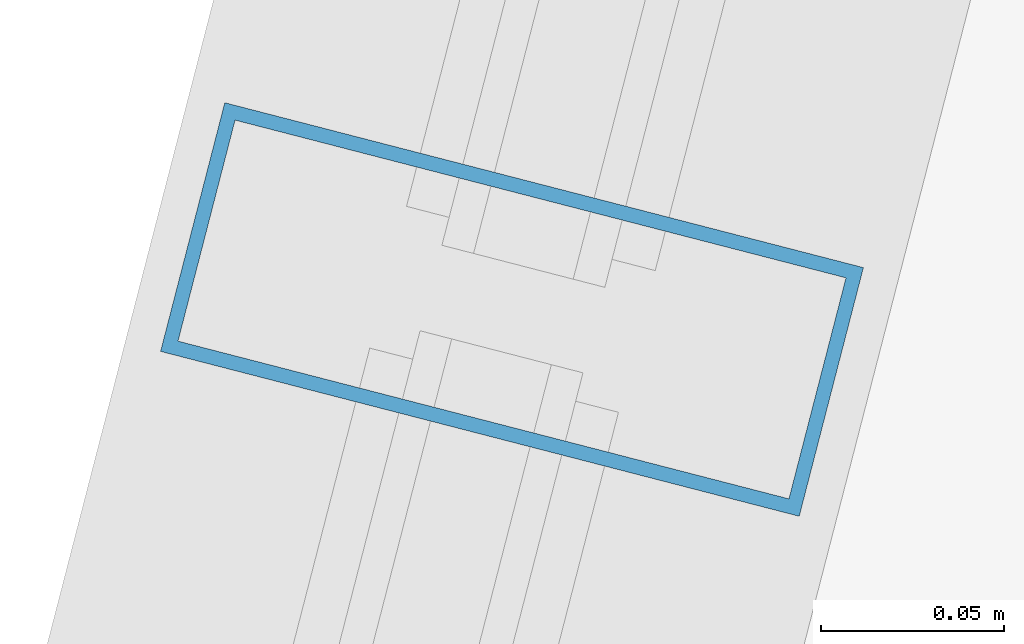
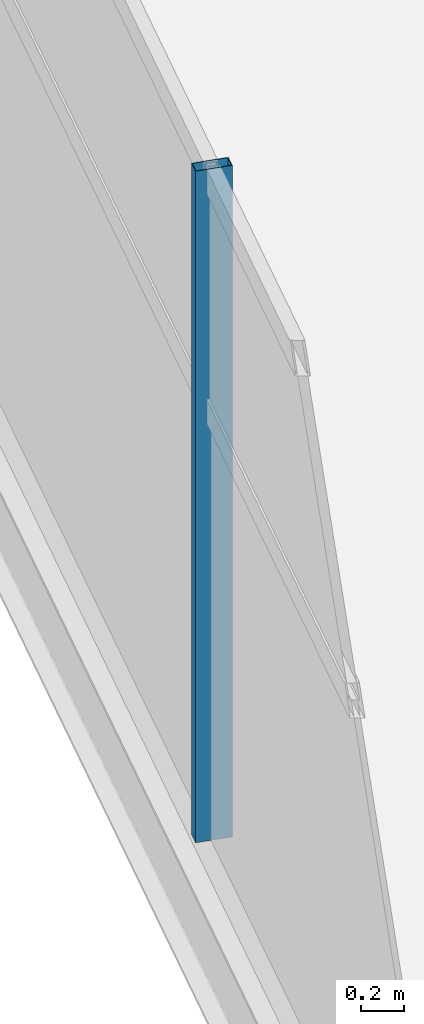
# One storey, part 35 of 156: 1 member, 1 element without a shape of its own.
"""IFC4 building model written with IfcOpenShell, lengths in metres."""

import ifcopenshell
import ifcopenshell.guid

model = None  # the IFC model being written
_history = None  # IfcOwnerHistory: only IFC2X3 demands one
_inside = {}  # id of a spatial element -> (the spatial element, [elements in it])
_under = {}  # id of a project, library or spatial element -> (it, [spatial elements below it])
_declared = {}  # id of a project -> (the project, [libraries it declares])
_typed = {}  # id of a type object -> (the type object, [elements of that type])
_made_of = {}  # id of a material, layer set ... -> (it, [elements and type objects made of it])


def new_model(schema):
    """Start an empty IFC model of exactly this schema.

    Asked for "IFC4X3", IfcOpenShell would pick the latest addendum, in which some entities
    have other attributes; the version numbers below select the first issue.
    IFC2X3 requires an IfcOwnerHistory on every rooted entity: one is made here for all.
    """
    global model, _history
    if schema == "IFC4X3":
        model = ifcopenshell.file(schema_version=(4, 3, 0, 0))
    else:
        model = ifcopenshell.file(schema=schema)
    _inside.clear()
    _under.clear()
    _declared.clear()
    _typed.clear()
    _made_of.clear()
    _history = None
    if model.schema == "IFC2X3":
        org = make("IfcOrganization", Name="unknown")
        user = make(
            "IfcPersonAndOrganization",
            ThePerson=make("IfcPerson", FamilyName="unknown"),
            TheOrganization=org,
        )
        app = make(
            "IfcApplication",
            ApplicationDeveloper=org,
            Version="unknown",
            ApplicationFullName="unknown",
            ApplicationIdentifier="unknown",
        )
        _history = make(
            "IfcOwnerHistory",
            OwningUser=user,
            OwningApplication=app,
            ChangeAction="ADDED",
            CreationDate=0,
        )
    return model


def make(cls, **values):
    """One entity of the class cls with the attributes given. An attribute that is None is left unset."""
    return model.create_entity(
        cls, **{name: value for name, value in values.items() if value is not None}
    )


def rooted(cls, **values):
    """An entity with a GlobalId (a new one), such as an element, a storey or a relation."""
    return make(cls, GlobalId=ifcopenshell.guid.new(), OwnerHistory=_history, **values)


def si_unit(unit_type, name, prefix=None):
    """IfcSIUnit, for example si_unit("LENGTHUNIT", "METRE", prefix="MILLI")."""
    return make("IfcSIUnit", UnitType=unit_type, Prefix=prefix, Name=name)


def assignment(units):
    """IfcUnitAssignment: the units of a project."""
    return None if units is None else make("IfcUnitAssignment", Units=units)


def point(xyz):
    """IfcCartesianPoint."""
    return None if xyz is None else make("IfcCartesianPoint", Coordinates=xyz)


def direction(xyz):
    """IfcDirection."""
    return None if xyz is None else make("IfcDirection", DirectionRatios=xyz)


def frame(location, z_axis=None, x_axis=None):
    """IfcAxis2Placement3D, a coordinate frame: its origin and axes. An axis left out is left unset."""
    return make(
        "IfcAxis2Placement3D",
        Location=point(location),
        Axis=direction(z_axis),
        RefDirection=direction(x_axis),
    )


def frame_2d(location, x_axis=None):
    """IfcAxis2Placement2D, a coordinate frame in the plane: its origin and x axis."""
    return make(
        "IfcAxis2Placement2D", Location=point(location), RefDirection=direction(x_axis)
    )


def origin():
    """The frame at (0, 0, 0) with its axes left unset."""
    return frame((0.0, 0.0, 0.0))


def origin_2d():
    """The frame at (0, 0) in the plane with its x axis left unset."""
    return frame_2d((0.0, 0.0))


def place(relative_to, where):
    """IfcLocalPlacement: puts the frame where relative to a parent placement (None: the world)."""
    return make(
        "IfcLocalPlacement", PlacementRelTo=relative_to, RelativePlacement=where
    )


def context(
    kind, dimensions, precision=None, world=None, true_north=None, identifier=None
):
    """IfcGeometricRepresentationContext, for example the 3D "Model" context."""
    return make(
        "IfcGeometricRepresentationContext",
        ContextIdentifier=identifier,
        ContextType=kind,
        CoordinateSpaceDimension=dimensions,
        Precision=precision,
        WorldCoordinateSystem=world,
        TrueNorth=true_north,
    )


def subcontext(parent, identifier, kind, view, scale=None):
    """IfcGeometricRepresentationSubContext, for example "Body" below "Model"."""
    return make(
        "IfcGeometricRepresentationSubContext",
        ContextIdentifier=identifier,
        ContextType=kind,
        ParentContext=parent,
        TargetScale=scale,
        TargetView=view,
    )


def project(units=None, contexts=None):
    """IfcProject with its units and contexts."""
    return rooted(
        "IfcProject",
        Name="project",
        RepresentationContexts=contexts,
        UnitsInContext=assignment(units),
    )


def spatial(cls, under=None, at=None, **own):
    """A site, building, storey or space (cls), placed at a placement, below another one or the project."""
    s = rooted(cls, ObjectPlacement=at, **own)
    if under is not None:
        _under.setdefault(under.id(), (under, []))[1].append(s)
    return s


def profile(cls, at=None, kind="AREA", **sizes):
    """A parametric profile (cls). Its sizes go by their IFC names, for example OverallWidth=200.0."""
    return make(cls, ProfileType=kind, Position=at, **sizes)


def hollow_rectangle(**sizes):
    """IfcRectangleHollowProfileDef."""
    return profile("IfcRectangleHollowProfileDef", **sizes)


def extrude(swept, where, along, depth):
    """IfcExtrudedAreaSolid: the profile swept, set in the frame where, extruded along a direction by depth."""
    return make(
        "IfcExtrudedAreaSolid",
        SweptArea=swept,
        Position=where,
        ExtrudedDirection=direction(along),
        Depth=depth,
    )


def shape(context_of_items, identifier, shape_type, items):
    """IfcShapeRepresentation: the items that make up one representation, for example the "Body"."""
    return make(
        "IfcShapeRepresentation",
        ContextOfItems=context_of_items,
        RepresentationIdentifier=identifier,
        RepresentationType=shape_type,
        Items=items,
    )


def material(Name=None, Category=None):
    """IfcMaterial."""
    return make("IfcMaterial", Name=Name, Category=Category)


def layer(
    of_material, thickness, ventilated=None, Name=None, Category=None, Priority=None
):
    """IfcMaterialLayer: one layer of a wall or slab, of a material (None: an air gap)."""
    return make(
        "IfcMaterialLayer",
        Material=of_material,
        LayerThickness=thickness,
        IsVentilated=ventilated,
        Name=Name,
        Category=Category,
        Priority=Priority,
    )


def layer_set(layers, Name=None):
    """IfcMaterialLayerSet."""
    return make("IfcMaterialLayerSet", MaterialLayers=layers, LayerSetName=Name)


def material_profile(
    of_material, cross_section, Name=None, Category=None, Priority=None
):
    """IfcMaterialProfile: a cross section and its material."""
    return make(
        "IfcMaterialProfile",
        Name=Name,
        Material=of_material,
        Profile=cross_section,
        Priority=Priority,
        Category=Category,
    )


def profile_set(profiles, Name=None, composite=None):
    """IfcMaterialProfileSet."""
    return make(
        "IfcMaterialProfileSet",
        Name=Name,
        MaterialProfiles=profiles,
        CompositeProfile=composite,
    )


def made_of(thing, what):
    """Note that an element or type object is made of a material, layer set ...; save() writes the relation."""
    if what is not None:
        _made_of.setdefault(what.id(), (what, []))[1].append(thing)
    return thing


def type_object(cls, material=None, **own):
    """A type object (cls), such as IfcWallType, which elements share."""
    return made_of(rooted(cls, **own), material)


def element(
    cls,
    number,
    at=None,
    inside=None,
    cuts=None,
    type_object=None,
    material=None,
    context=None,
    identifier="Body",
    shape_type=None,
    held_by="IfcProductDefinitionShape",
    body=None,
    shapes=None,
    **own,
):
    """One element of the class cls, such as IfcWall. Its Tag is "e" and its number.

    at: its placement. inside: the storey or other place that contains it. cuts: it is an
    opening in that element (IfcRelVoidsElement). A single representation is given by context,
    identifier, shape_type and body (its items); several are given by shapes. held_by: the class
    of the entity that holds the representations. save() writes the other relations.
    """
    e = rooted(cls, Tag="e%d" % number, ObjectPlacement=at, **own)
    if body is not None:
        shapes = [shape(context, identifier, shape_type, body)]
    if shapes is not None:
        e.Representation = make(held_by, Representations=shapes)
    if inside is not None:
        _inside.setdefault(inside.id(), (inside, []))[1].append(e)
    if cuts is not None:
        rooted(
            "IfcRelVoidsElement", RelatingBuildingElement=cuts, RelatedOpeningElement=e
        )
    if type_object is not None:
        _typed.setdefault(type_object.id(), (type_object, []))[1].append(e)
    return made_of(e, material)


def aggregate(whole, parts):
    """IfcRelAggregates: a whole, such as a stair, and the parts it consists of."""
    return rooted("IfcRelAggregates", RelatingObject=whole, RelatedObjects=parts)


def save(model, path):
    """Write the relations noted so far, then the file.

    IfcRelAggregates (storeys below a building ...), IfcRelContainedInSpatialStructure (elements
    in a storey), IfcRelDefinesByType, IfcRelAssociatesMaterial and IfcRelDeclares: one each for
    every whole, place, type object, material and project.
    """
    for whole, parts in _under.values():
        aggregate(whole, parts)
    for where, things in _inside.values():
        rooted(
            "IfcRelContainedInSpatialStructure",
            RelatedElements=things,
            RelatingStructure=where,
        )
    for kind, things in _typed.values():
        rooted("IfcRelDefinesByType", RelatedObjects=things, RelatingType=kind)
    for what, things in _made_of.values():
        rooted("IfcRelAssociatesMaterial", RelatedObjects=things, RelatingMaterial=what)
    for by, libraries in _declared.values():
        rooted("IfcRelDeclares", RelatingContext=by, RelatedDefinitions=libraries)
    model.write(path)


model = new_model("IFC4")

# Units and contexts
model_context = context("Model", 3, precision=1e-05, world=origin(), true_north=direction((0.0, 1.0)))
body_context = subcontext(model_context, "Body", "Model", "MODEL_VIEW")
ifc_project = project(units=[si_unit("LENGTHUNIT", "METRE"), si_unit("AREAUNIT", "SQUARE_METRE"), si_unit("VOLUMEUNIT", "CUBIC_METRE"), si_unit("PLANEANGLEUNIT", "RADIAN"), si_unit("MASSUNIT", "GRAM", prefix="KILO")], contexts=[model_context])

# Site, building, storey
site_placement = place(None, origin())
site = spatial("IfcSite", under=ifc_project, at=site_placement, CompositionType="ELEMENT")
building_placement = place(site_placement, origin())
building = spatial("IfcBuilding", under=site, at=building_placement, Name="Kazemori Nagisa Stadium", CompositionType="ELEMENT")
storey_placement = place(building_placement, frame((0.0, 0.0, 5.780029296875)))
storey = spatial("IfcBuildingStorey", under=building, at=storey_placement, Name="L01", CompositionType="ELEMENT", Elevation=5.780029296875)

# Curtain wall, member
ifc_material_1 = material(Name="Anodised aluminium 6063-T5", Category="aluminium")
ifc_layer = layer(ifc_material_1, 0.179931640625, Name="Anodised aluminium 6063-T5", Category="aluminium")
ifc_layer_set = layer_set([ifc_layer], Name="Anodised aluminium 6063-T5")
curtain_wall_type = type_object("IfcCurtainWallType", Name="CW_L01R3_96", PredefinedType="USERDEFINED", material=ifc_layer_set)
curtain_wall_placement = place(storey_placement, origin())
curtain_wall = element("IfcCurtainWall", 1, at=curtain_wall_placement, inside=storey, type_object=curtain_wall_type, Name="Unitised curtain wall CW-L01R3-96 L01", ObjectType="UNITISED CURTAIN WALL", PredefinedType="USERDEFINED")
ifc_material_2 = material(Name="Aluminium 6063-T5 anodised", Category="aluminium")
ifc_material_profile = material_profile(ifc_material_2, hollow_rectangle(XDim=0.070068359375, YDim=0.179931640625, WallThickness=0.00390625, at=origin_2d()), Name="ALU-MULL-70x180x4")
ifc_profile_set = profile_set([ifc_material_profile], Name="Aluminium 6063-T5 anodised")
member_type = type_object("IfcMemberType", Name="Mullion_M01", PredefinedType="MULLION", material=ifc_profile_set)
member_placement = place(storey_placement, frame((26.41259765625, 134.1552734375, 0.0), z_axis=(0.0, 0.0, 1.0), x_axis=(-0.249964642418, -0.968254965152, 0.0)))
member = element("IfcMember", 2, at=member_placement, type_object=member_type, Name="Curtain wall mullion CW-L01R3-96-M2", PredefinedType="MULLION", context=body_context, shape_type="SweptSolid", body=[
    extrude(hollow_rectangle(XDim=0.070068359375, YDim=0.179931640625, WallThickness=0.00390625, at=origin_2d()), origin(), (0.0, 0.0, 1.0), 3.849853515625),
])
aggregate(curtain_wall, [member])

save(model, "model.ifc")
